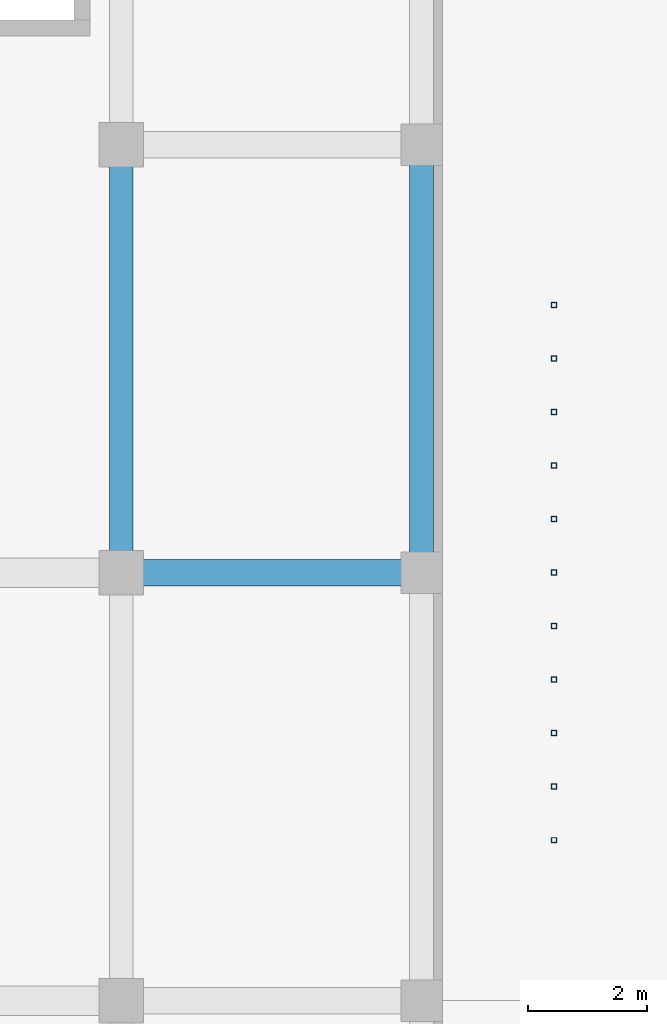
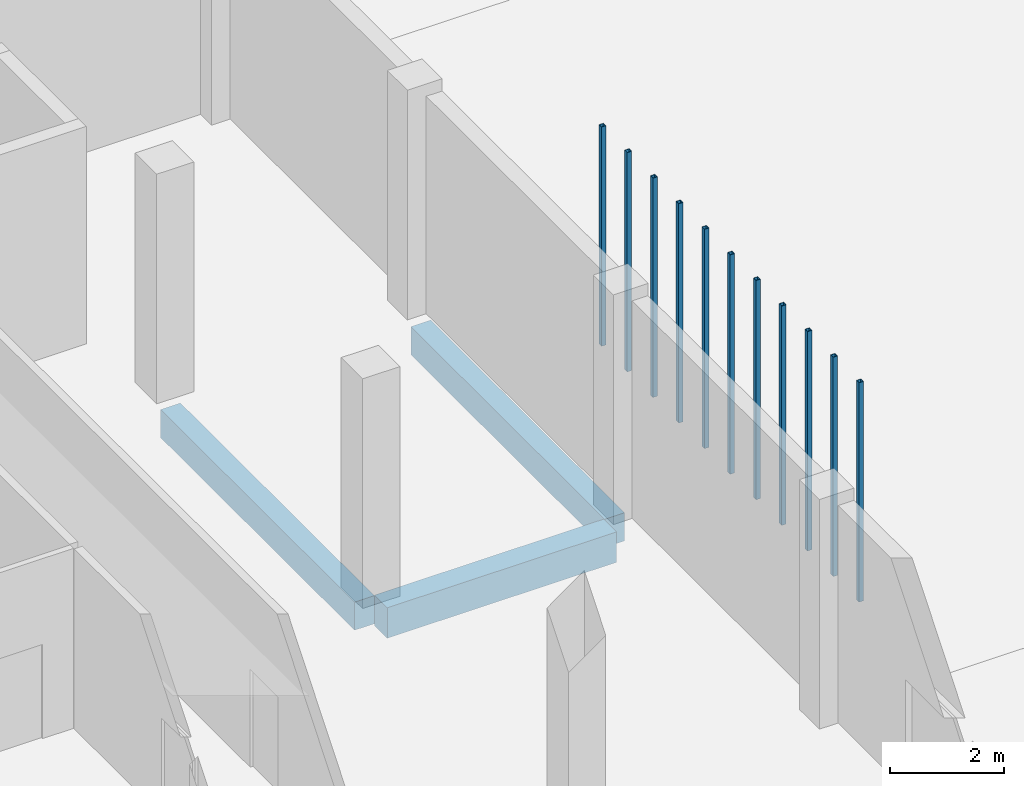
# One storey, part 19 of 85: 11 members, 3 beams.
"""IFC4 building model written with IfcOpenShell, lengths in metres."""

from ifc_helpers import new_model, si_unit, derived_unit, direction, frame, origin, origin_2d, place, context, subcontext, project, spatial, rectangle, hollow_rectangle, extrude, material, material_profile, profile_set, type_object, element, save


model = new_model("IFC4")

# Units and contexts
model_context = context("Model", 3, precision=1e-05, world=origin(), true_north=direction((0.0, 1.0)))
body_context = subcontext(model_context, "Body", "Model", "MODEL_VIEW")
ifc_project = project(units=[si_unit("LENGTHUNIT", "METRE"), si_unit("AREAUNIT", "SQUARE_METRE"), si_unit("VOLUMEUNIT", "CUBIC_METRE"), si_unit("PLANEANGLEUNIT", "RADIAN"), si_unit("MASSUNIT", "GRAM", prefix="KILO"), derived_unit("THERMALTRANSMITTANCEUNIT", [(si_unit("MASSUNIT", "GRAM", prefix="KILO"), 1), (si_unit("TIMEUNIT", "SECOND"), -3), (si_unit("THERMODYNAMICTEMPERATUREUNIT", "KELVIN"), -1)])], contexts=[model_context])

# Site, building, storey
site_placement = place(None, origin())
site = spatial("IfcSite", under=ifc_project, at=site_placement, CompositionType="ELEMENT")
building_placement = place(site_placement, origin())
building = spatial("IfcBuilding", under=site, at=building_placement, Name="Ochrekiln Boulevard Commons", CompositionType="ELEMENT")
storey_placement = place(building_placement, origin())
storey = spatial("IfcBuildingStorey", under=building, at=storey_placement, Name="L00", CompositionType="ELEMENT", Elevation=0.0)

# Beams
ifc_material_1 = material(Name="Concrete C35/45", Category="concrete")
ifc_material_profile_1 = material_profile(ifc_material_1, rectangle(XDim=0.39990234375, YDim=0.60009765625, at=origin_2d()), Name="RC-BM-400x600")
ifc_profile_set_1 = profile_set([ifc_material_profile_1], Name="Concrete C35/45")
beam_type_1 = type_object("IfcBeamType", Name="BM-RC-400x600", PredefinedType="BEAM", material=ifc_profile_set_1)
for number, where, z_axis, x_axis, name in (
    (1, (16.199951171875, 104.610107421875, -0.580078125), (0.0, 1.0, 0.0), (-1.0, 0.0, 0.0), "Block A L00 Beam B-4060 Y42"),
    (2, (21.25, 104.610107421875, -0.580078125), (0.0, 1.0, 0.0), (-1.0, 0.0, 0.0), "Block A L00 Beam B-4060 Y49"),
):
    element("IfcBeam", number, at=place(storey_placement, frame(where, z_axis=z_axis, x_axis=x_axis)), inside=storey, type_object=beam_type_1, Name=name, PredefinedType="BEAM", context=body_context, shape_type="SweptSolid", body=[
        extrude(rectangle(XDim=0.39990234375, YDim=0.60009765625, at=origin_2d()), origin(), (0.0, 0.0, 1.0), 6.77978515625),
    ])
ifc_material_profile_2 = material_profile(ifc_material_1, rectangle(XDim=0.449951171875, YDim=0.64990234375, at=origin_2d()), Name="RC-BM-450x650")
ifc_profile_set_2 = profile_set([ifc_material_profile_2], Name="Concrete C35/45")
beam_type_2 = type_object("IfcBeamType", Name="BM-RC-450x650", PredefinedType="BEAM", material=ifc_profile_set_2)
beam_placement = place(storey_placement, frame((16.409912109375, 104.39990234375, -0.60498046875), z_axis=(1.0, 0.0, 0.0), x_axis=(0.0, 1.0, 0.0)))
element("IfcBeam", 3, at=beam_placement, inside=storey, type_object=beam_type_2, Name="Block A L00 Beam B-4565 X17", PredefinedType="BEAM", context=body_context, shape_type="SweptSolid", body=[
    extrude(rectangle(XDim=0.449951171875, YDim=0.64990234375, at=origin_2d()), origin(), (0.0, 0.0, 1.0), 4.630126953125),
])

# Members
ifc_material_2 = material(Name="Steel A500 Grade C", Category="steel")
ifc_material_profile_3 = material_profile(ifc_material_2, hollow_rectangle(XDim=0.090087890625, YDim=0.090087890625, WallThickness=0.00634765625, at=origin_2d()), Name="HSS90X90X6.4")
ifc_profile_set_3 = profile_set([ifc_material_profile_3], Name="Steel A500 Grade C")
member_type = type_object("IfcMemberType", Name="MEM-PST-HSS90", PredefinedType="POST", material=ifc_profile_set_3)
for number, where, z_axis, x_axis, name in (
    (4, (23.47998046875, 99.89990234375, 0.0), (0.0, 0.0, 1.0), (1.0, 0.0, 0.0), "Block A L00 Slim Vertical Balcony Post (23)"),
    (5, (23.47998046875, 100.800048828125, 0.0), (0.0, 0.0, 1.0), (1.0, 0.0, 0.0), "Block A L00 Slim Vertical Balcony Post (24)"),
    (6, (23.47998046875, 101.699951171875, 0.0), (0.0, 0.0, 1.0), (1.0, 0.0, 0.0), "Block A L00 Slim Vertical Balcony Post (25)"),
    (7, (23.47998046875, 102.60009765625, 0.0), (0.0, 0.0, 1.0), (1.0, 0.0, 0.0), "Block A L00 Slim Vertical Balcony Post (26)"),
    (8, (23.47998046875, 103.5, 0.0), (0.0, 0.0, 1.0), (1.0, 0.0, 0.0), "Block A L00 Slim Vertical Balcony Post (27)"),
    (9, (23.47998046875, 104.39990234375, 0.0), (0.0, 0.0, 1.0), (1.0, 0.0, 0.0), "Block A L00 Slim Vertical Balcony Post (28)"),
    (10, (23.47998046875, 105.300048828125, 0.0), (0.0, 0.0, 1.0), (1.0, 0.0, 0.0), "Block A L00 Slim Vertical Balcony Post (29)"),
    (11, (23.47998046875, 106.199951171875, 0.0), (0.0, 0.0, 1.0), (1.0, 0.0, 0.0), "Block A L00 Slim Vertical Balcony Post (30)"),
    (12, (23.47998046875, 107.10009765625, 0.0), (0.0, 0.0, 1.0), (1.0, 0.0, 0.0), "Block A L00 Slim Vertical Balcony Post (31)"),
    (13, (23.47998046875, 108.0, 0.0), (0.0, 0.0, 1.0), (1.0, 0.0, 0.0), "Block A L00 Slim Vertical Balcony Post (32)"),
    (14, (23.47998046875, 108.89990234375, 0.0), (0.0, 0.0, 1.0), (1.0, 0.0, 0.0), "Block A L00 Slim Vertical Balcony Post (33)"),
):
    element("IfcMember", number, at=place(storey_placement, frame(where, z_axis=z_axis, x_axis=x_axis)), inside=storey, type_object=member_type, Name=name, PredefinedType="POST", context=body_context, shape_type="SweptSolid", body=[
        extrude(hollow_rectangle(XDim=0.090087890625, YDim=0.090087890625, WallThickness=0.00634765625, at=origin_2d()), origin(), (0.0, 0.0, 1.0), 4.679931640625),
    ])

save(model, "model.ifc")
